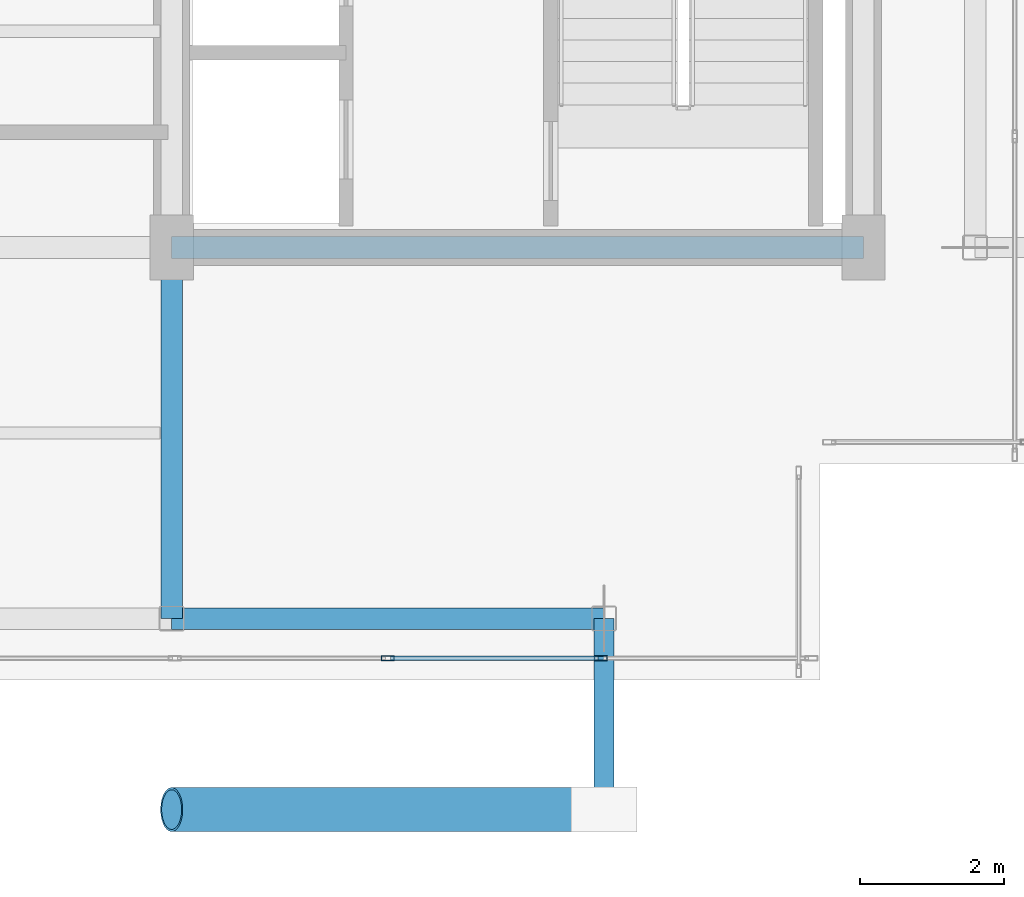
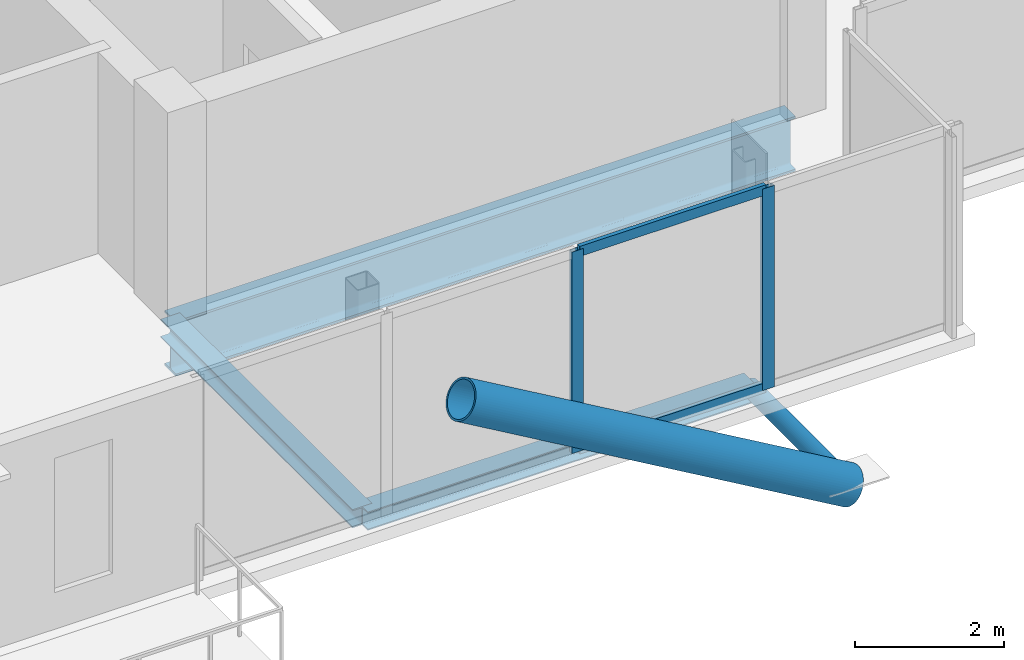
# One storey, part 5 of 18: 6 members, 3 beams, 1 element without a shape of its own.
"""IFC4 building model written with IfcOpenShell, lengths in metres."""

from ifc_helpers import new_model, si_unit, direction, frame, origin, origin_2d, place, context, subcontext, project, spatial, hollow_rectangle, hollow_circle, i_section, extrude, material, layer, layer_set, material_profile, profile_set, type_object, element, aggregate, save


model = new_model("IFC4")

# Units and contexts
model_context = context("Model", 3, precision=1e-05, world=origin(), true_north=direction((0.0, 1.0)))
body_context = subcontext(model_context, "Body", "Model", "MODEL_VIEW")
ifc_project = project(units=[si_unit("LENGTHUNIT", "METRE"), si_unit("AREAUNIT", "SQUARE_METRE"), si_unit("VOLUMEUNIT", "CUBIC_METRE"), si_unit("PLANEANGLEUNIT", "RADIAN"), si_unit("MASSUNIT", "GRAM", prefix="KILO"), si_unit("THERMODYNAMICTEMPERATUREUNIT", "KELVIN"), si_unit("POWERUNIT", "WATT")], contexts=[model_context])

# Site, building, storey
site_placement = place(None, origin())
site = spatial("IfcSite", under=ifc_project, at=site_placement, CompositionType="ELEMENT")
building_placement = place(site_placement, origin())
building = spatial("IfcBuilding", under=site, at=building_placement, Name="Svarakhadi Broadcast Tower", CompositionType="ELEMENT")
storey_placement = place(building_placement, frame((0.0, 0.0, 278.199951171875)))
storey = spatial("IfcBuildingStorey", under=building, at=storey_placement, Name="L70", CompositionType="ELEMENT", Elevation=278.199951171875)

# Curtain wall, members
ifc_material_1 = material(Name="Anodised Bronze Aluminium AA 6063-T6", Category="aluminium")
ifc_layer = layer(ifc_material_1, 0.179931640625)
ifc_layer_set = layer_set([ifc_layer], Name="Anodised Bronze Aluminium AA 6063-T6")
curtain_wall_type = type_object("IfcCurtainWallType", Name="CW_Sys_05", PredefinedType="NOTDEFINED", material=ifc_layer_set)
curtain_wall_placement = place(storey_placement, origin())
curtain_wall = element("IfcCurtainWall", 1, at=curtain_wall_placement, inside=storey, type_object=curtain_wall_type, Name="L70 South Curtain Wall 16", PredefinedType="NOTDEFINED")
ifc_material_profile_1 = material_profile(ifc_material_1, hollow_rectangle(XDim=0.070068359375, YDim=0.179931640625, WallThickness=0.005615234375, at=origin_2d()), Name="ALU MULLION 180x70x6")
ifc_profile_set_1 = profile_set([ifc_material_profile_1], Name="Anodised Bronze Aluminium AA 6063-T6")
member_type_1 = type_object("IfcMemberType", Name="CW_Sys_05_Mul", PredefinedType="MULLION", material=ifc_profile_set_1)
member_1_placement = place(storey_placement, frame((29.955078125, 0.300048828125, 0.0), z_axis=(0.0, 0.0, 1.0), x_axis=(0.0, -1.0, 0.0)))
member_1 = element("IfcMember", 2, at=member_1_placement, type_object=member_type_1, Name="CW-05 mullion 2", PredefinedType="MULLION", context=body_context, shape_type="SweptSolid", body=[
    extrude(hollow_rectangle(XDim=0.070068359375, YDim=0.179931640625, WallThickness=0.005615234375, at=origin_2d()), origin(), (0.0, 0.0, 1.0), 3.300048828125),
])
member_2_placement = place(storey_placement, frame((27.0, 0.300048828125, 0.0), z_axis=(0.0, 0.0, 1.0), x_axis=(0.0, -1.0, 0.0)))
member_2 = element("IfcMember", 3, at=member_2_placement, type_object=member_type_1, Name="CW-05 mullion 3", PredefinedType="MULLION", context=body_context, shape_type="SweptSolid", body=[
    extrude(hollow_rectangle(XDim=0.070068359375, YDim=0.179931640625, WallThickness=0.005615234375, at=origin_2d()), origin(), (0.0, 0.0, 1.0), 3.300048828125),
])
ifc_material_profile_2 = material_profile(ifc_material_1, hollow_rectangle(XDim=0.06494140625, YDim=0.1650390625, WallThickness=0.0048828125, at=origin_2d()), Name="ALU TRANSOM 165x65x5")
ifc_profile_set_2 = profile_set([ifc_material_profile_2], Name="Anodised Bronze Aluminium AA 6063-T6")
member_type_2 = type_object("IfcMemberType", Name="CW_Sys_05_Trn", PredefinedType="USERDEFINED", material=ifc_profile_set_2)
member_3_placement = place(storey_placement, frame((29.919921875, 0.300048828125, 0.032470703125), z_axis=(-1.0, 0.0, 0.0), x_axis=(0.0, -1.0, 0.0)))
member_3 = element("IfcMember", 4, at=member_3_placement, type_object=member_type_2, Name="CW-05 transom 2.1", ObjectType="TRANSOM", PredefinedType="USERDEFINED", context=body_context, shape_type="SweptSolid", body=[
    extrude(hollow_rectangle(XDim=0.06494140625, YDim=0.1650390625, WallThickness=0.0048828125, at=origin_2d()), origin(), (0.0, 0.0, 1.0), 2.885009765625),
])
member_4_placement = place(storey_placement, frame((29.919921875, 0.300048828125, 3.267578125), z_axis=(-1.0, 0.0, 0.0), x_axis=(0.0, -1.0, 0.0)))
member_4 = element("IfcMember", 5, at=member_4_placement, type_object=member_type_2, Name="CW-05 transom 2.2", ObjectType="TRANSOM", PredefinedType="USERDEFINED", context=body_context, shape_type="SweptSolid", body=[
    extrude(hollow_rectangle(XDim=0.06494140625, YDim=0.1650390625, WallThickness=0.0048828125, at=origin_2d()), origin(), (0.0, 0.0, 1.0), 2.885009765625),
])
aggregate(curtain_wall, [member_1, member_2, member_3, member_4])

# Members
ifc_material_2 = material(Name="Steel S460ML (IS 2062 E450BR)", Category="steel")
ifc_material_profile_3 = material_profile(ifc_material_2, hollow_circle(Radius=0.304931640625, WallThickness=0.030029296875, at=origin_2d()), Name="CHS 610x30")
ifc_profile_set_3 = profile_set([ifc_material_profile_3], Name="Steel S460ML (IS 2062 E450BR)")
member_type_3 = type_object("IfcMemberType", Name="Exo_Brace_CHS610", PredefinedType="BRACE", material=ifc_profile_set_3)
member_5_placement = place(storey_placement, frame((30.0, -1.800048828125, -0.33642578125), z_axis=(-0.863778900898, 0.0, 0.503871025524), x_axis=(0.0, -1.0, 0.0)))
element("IfcMember", 6, at=member_5_placement, inside=storey, type_object=member_type_3, Name="L70 Exposed Bronze Exoskeleton Diagonal S01", PredefinedType="BRACE", context=body_context, shape_type="SweptSolid", body=[
    extrude(hollow_circle(Radius=0.304931640625, WallThickness=0.030029296875, at=origin_2d()), origin(), (0.0, 0.0, 1.0), 6.9462890625),
])
ifc_material_profile_4 = material_profile(ifc_material_2, hollow_circle(Radius=0.136474609375, WallThickness=0.012451171875, at=origin_2d()), Name="CHS 273x12.5")
ifc_profile_set_4 = profile_set([ifc_material_profile_4], Name="Steel S460ML (IS 2062 E450BR)")
member_type_4 = type_object("IfcMemberType", Name="Exo_Radial_Strut_Z3", PredefinedType="STRUT", material=ifc_profile_set_4)
member_6_placement = place(storey_placement, frame((30.0, -1.800048828125, -0.33642578125), z_axis=(0.0, 1.0, 0.0), x_axis=(-1.0, 0.0, 0.0)))
element("IfcMember", 7, at=member_6_placement, inside=storey, type_object=member_type_4, Name="L70 Exoskeleton Radial Tie Strut S03", PredefinedType="STRUT", context=body_context, shape_type="SweptSolid", body=[
    extrude(hollow_circle(Radius=0.136474609375, WallThickness=0.012451171875, at=origin_2d()), origin(), (0.0, 0.0, 1.0), 2.650146484375),
])

# Beams
ifc_material_3 = material(Name="Steel S355J2 (IS 2062 E350C)", Category="steel")
ifc_material_profile_5 = material_profile(ifc_material_3, i_section(OverallWidth=0.300048828125, OverallDepth=0.300048828125, WebThickness=0.010986328125, FlangeThickness=0.01904296875, FilletRadius=0.027099609375, at=origin_2d()), Name="WPB 300x300x117")
ifc_profile_set_5 = profile_set([ifc_material_profile_5], Name="Steel S355J2 (IS 2062 E350C)")
beam_type_1 = type_object("IfcBeamType", Name="Girder_WPB300", PredefinedType="USERDEFINED", material=ifc_profile_set_5)
beam_1_placement = place(storey_placement, frame((24.0, 0.85009765625, -0.349853515625), z_axis=(1.0, 0.0, 0.0), x_axis=(0.0, 1.0, 0.0)))
element("IfcBeam", 8, at=beam_1_placement, inside=storey, type_object=beam_type_1, Name="L70 Primary E-W Girder G007", ObjectType="GIRDER", PredefinedType="USERDEFINED", context=body_context, shape_type="SweptSolid", body=[
    extrude(i_section(OverallWidth=0.300048828125, OverallDepth=0.300048828125, WebThickness=0.010986328125, FlangeThickness=0.01904296875, FilletRadius=0.027099609375, at=origin_2d()), origin(), (0.0, 0.0, 1.0), 6.0),
])
beam_2_placement = place(storey_placement, frame((24.0, 0.85009765625, -0.349853515625), z_axis=(0.0, 1.0, 0.0), x_axis=(-1.0, 0.0, 0.0)))
element("IfcBeam", 9, at=beam_2_placement, inside=storey, type_object=beam_type_1, Name="L70 Primary N-S Girder G040", ObjectType="GIRDER", PredefinedType="USERDEFINED", context=body_context, shape_type="SweptSolid", body=[
    extrude(i_section(OverallWidth=0.300048828125, OverallDepth=0.300048828125, WebThickness=0.010986328125, FlangeThickness=0.01904296875, FilletRadius=0.027099609375, at=origin_2d()), origin(), (0.0, 0.0, 1.0), 5.14990234375),
])
ifc_material_profile_6 = material_profile(ifc_material_2, i_section(OverallWidth=0.300048828125, OverallDepth=0.89990234375, WebThickness=0.0185546875, FlangeThickness=0.034912109375, FilletRadius=0.030029296875, at=origin_2d()), Name="WPB 900x300x291")
ifc_profile_set_6 = profile_set([ifc_material_profile_6], Name="Steel S460ML (IS 2062 E450BR)")
beam_type_2 = type_object("IfcBeamType", Name="Girder_WPB900", PredefinedType="USERDEFINED", material=ifc_profile_set_6)
beam_3_placement = place(storey_placement, frame((24.0, 6.0, -0.64990234375), z_axis=(1.0, 0.0, 0.0), x_axis=(0.0, 1.0, 0.0)))
element("IfcBeam", 10, at=beam_3_placement, inside=storey, type_object=beam_type_2, Name="L70 Primary E-W Girder G012", ObjectType="GIRDER", PredefinedType="USERDEFINED", context=body_context, shape_type="SweptSolid", body=[
    extrude(i_section(OverallWidth=0.300048828125, OverallDepth=0.89990234375, WebThickness=0.0185546875, FlangeThickness=0.034912109375, FilletRadius=0.030029296875, at=origin_2d()), origin(), (0.0, 0.0, 1.0), 9.60009765625),
])

save(model, "model.ifc")
